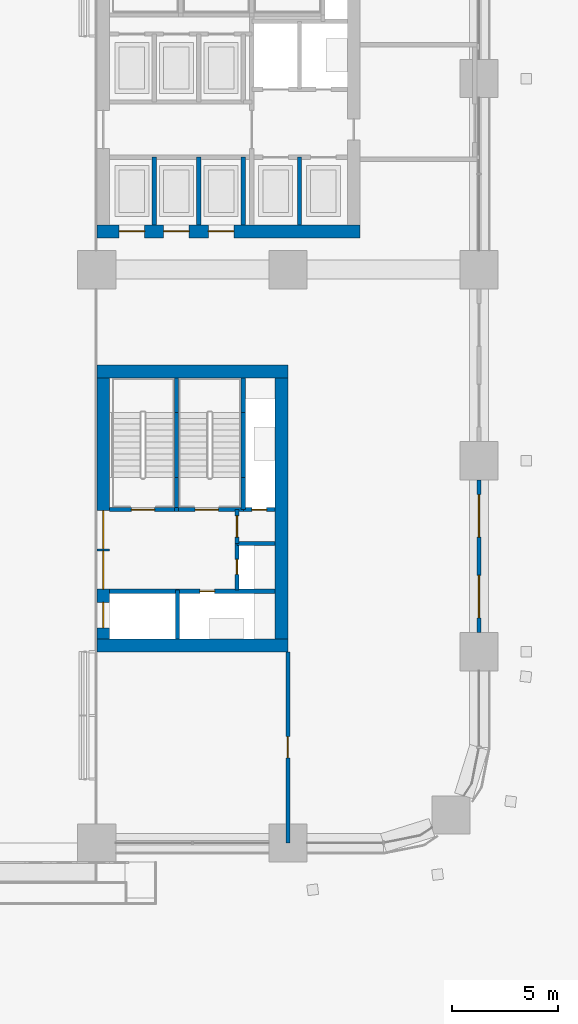
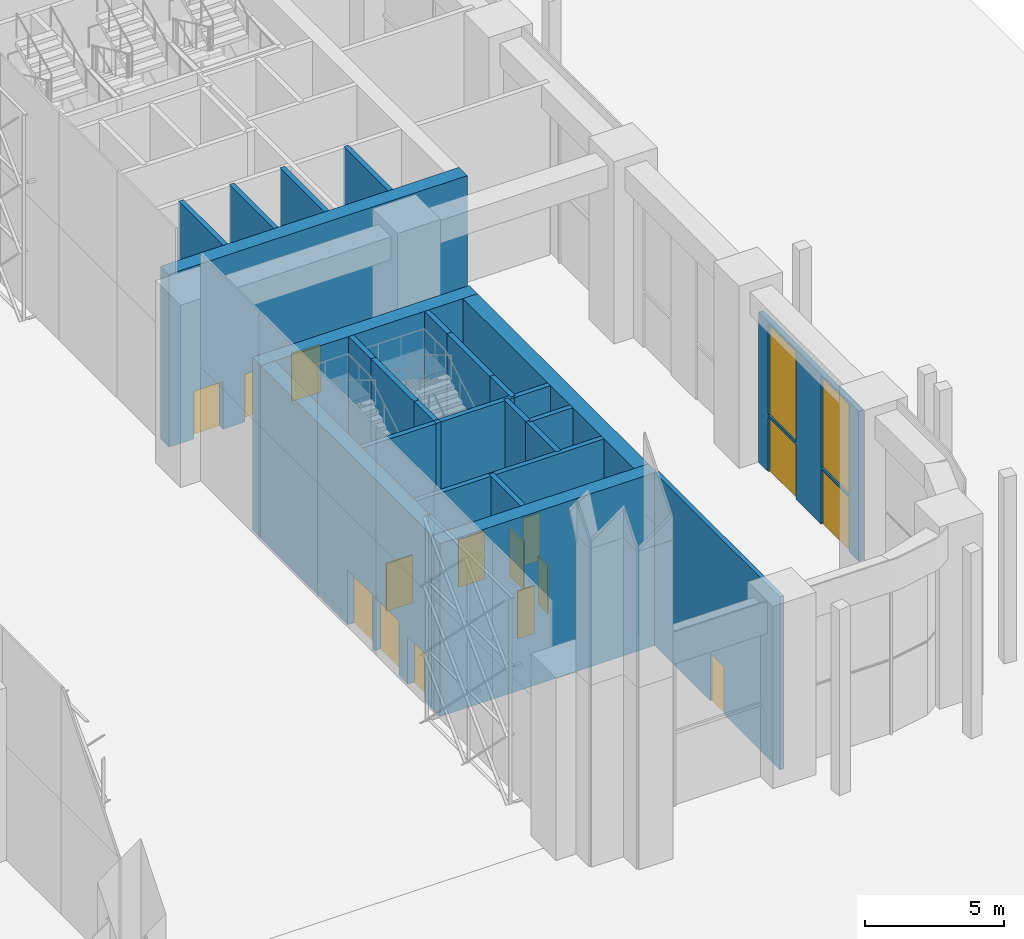
# One storey, part 32 of 64: 26 walls, 15 doors, 2 windows, 17 openings.
"""IFC4 building model written with IfcOpenShell, lengths in metres."""

from ifc_helpers import new_model, si_unit, direction, frame, frame_2d, origin, place, context, subcontext, project, spatial, rectangle, extrude, material, layer, layer_set, type_object, element, fill, save


model = new_model("IFC4")

# Units and contexts
model_context = context("Model", 3, precision=1e-05, world=origin(), true_north=direction((0.0, 1.0)))
body_context = subcontext(model_context, "Body", "Model", "MODEL_VIEW")
ifc_project = project(units=[si_unit("LENGTHUNIT", "METRE"), si_unit("AREAUNIT", "SQUARE_METRE"), si_unit("VOLUMEUNIT", "CUBIC_METRE"), si_unit("PLANEANGLEUNIT", "RADIAN"), si_unit("MASSUNIT", "GRAM", prefix="KILO")], contexts=[model_context])

# Site, building, storey
site_placement = place(None, origin())
site = spatial("IfcSite", under=ifc_project, at=site_placement, CompositionType="ELEMENT")
building_placement = place(site_placement, origin())
building = spatial("IfcBuilding", under=site, at=building_placement, Name="Tessera Arch", CompositionType="ELEMENT")
storey_placement = place(building_placement, origin())
storey = spatial("IfcBuildingStorey", under=building, at=storey_placement, Name="L00", CompositionType="ELEMENT", Elevation=0.0)

# Wall, opening, door
ifc_material_1 = material(Name="Gypsum board on steel stud", Category="steel")
ifc_layer_1 = layer(ifc_material_1, 0.125)
ifc_layer_set_1 = layer_set([ifc_layer_1], Name="Core partition 125 EI 60")
wall_type_1 = type_object("IfcWallType", Name="Core partition 125 EI 60", PredefinedType="PARTITIONING", material=ifc_layer_set_1)
wall_1_placement = place(storey_placement, frame((42.60009765625, 14.10009765625, 0.0), z_axis=(0.0, 0.0, 1.0), x_axis=(0.0, 1.0, 0.0)))
wall_1 = element("IfcWall", 1, at=wall_1_placement, inside=storey, type_object=wall_type_1, Name="L00 C3 partition wall 5", PredefinedType="PARTITIONING", context=body_context, shape_type="SweptSolid", body=[
    extrude(rectangle(XDim=1.599853515625, YDim=0.199951171875, at=frame_2d((0.7998046875, 0.0))), origin(), (0.0, 0.0, 1.0), 7.590087890625),
])
opening_1_placement = place(wall_1_placement, frame((0.300048828125, 0.0, 0.0)))
opening_1 = element("IfcOpeningElement", 2, at=opening_1_placement, cuts=wall_1, Name="Opening L00-C41", PredefinedType="OPENING", context=body_context, shape_type="SweptSolid", body=[
    extrude(rectangle(XDim=1.0, YDim=2.10009765625, at=frame_2d((0.5, 1.050048828125))), frame((0.0, 0.10986328125, 0.0), z_axis=(0.0, -1.0, 0.0), x_axis=(1.0, 0.0, 0.0)), (0.0, 0.0, 1.0), 0.219970703125),
])
ifc_material_2 = material(Name="Steel door leaf", Category="steel")
door_type_1 = type_object("IfcDoorType", Name="Corridor door FD60 1000 x 2100", OperationType="SINGLE_SWING_LEFT", PredefinedType="DOOR", material=ifc_material_2)
door_1_placement = place(opening_1_placement, origin())
door_1 = element("IfcDoor", 3, at=door_1_placement, inside=storey, type_object=door_type_1, Name="L00 C3 door 7 C41 type D12", OperationType="SINGLE_SWING_RIGHT", OverallHeight=2.10009765625, OverallWidth=1.0, PredefinedType="DOOR", context=body_context, shape_type="SweptSolid", body=[
    extrude(rectangle(XDim=1.0, YDim=2.10009765625, at=frame_2d((0.5, 1.050048828125))), frame((0.0, 0.02490234375, 0.0), z_axis=(0.0, -1.0, 0.0), x_axis=(1.0, 0.0, 0.0)), (0.0, 0.0, 1.0), 0.050048828125),
])
fill(opening_1, door_1)

# Wall, openings, doors
ifc_material_3 = material(Name="Concrete C70/85", Category="concrete")
ifc_layer_2 = layer(ifc_material_3, 0.60009765625)
ifc_layer_set_2 = layer_set([ifc_layer_2], Name="Core shell wall 600 C70-85")
wall_type_2 = type_object("IfcWallType", Name="Core shell wall 600 C70-85", PredefinedType="SHEAR", material=ifc_layer_set_2)
wall_2_placement = place(storey_placement, frame((36.0, 28.800048828125, 0.0), z_axis=(0.0, 0.0, 1.0), x_axis=(1.0, 0.0, 0.0)))
wall_2 = element("IfcWall", 4, at=wall_2_placement, inside=storey, type_object=wall_type_2, Name="L00 C1 core wall S", PredefinedType="SHEAR", context=body_context, shape_type="SweptSolid", body=[
    extrude(rectangle(XDim=12.39990234375, YDim=0.60009765625, at=frame_2d((6.199951171875, 0.0))), origin(), (0.0, 0.0, 1.0), 7.590087890625),
])
opening_2_placement = place(wall_2_placement, frame((1.050048828125, 0.0, 0.0)))
opening_2 = element("IfcOpeningElement", 5, at=opening_2_placement, cuts=wall_2, Name="Opening L00-C01", PredefinedType="OPENING", context=body_context, shape_type="SweptSolid", body=[
    extrude(rectangle(XDim=1.199951171875, YDim=2.10009765625, at=frame_2d((0.60009765625, 1.050048828125))), frame((0.0, 0.31005859375, 0.0), z_axis=(0.0, -1.0, 0.0), x_axis=(1.0, 0.0, 0.0)), (0.0, 0.0, 1.0), 0.6201171875),
])
opening_3_placement = place(wall_2_placement, frame((3.14990234375, 0.0, 0.0)))
opening_3 = element("IfcOpeningElement", 6, at=opening_3_placement, cuts=wall_2, Name="Opening L00-C03", PredefinedType="OPENING", context=body_context, shape_type="SweptSolid", body=[
    extrude(rectangle(XDim=1.199951171875, YDim=2.10009765625, at=frame_2d((0.60009765625, 1.050048828125))), frame((0.0, 0.31005859375, 0.0), z_axis=(0.0, -1.0, 0.0), x_axis=(1.0, 0.0, 0.0)), (0.0, 0.0, 1.0), 0.6201171875),
])
opening_4_placement = place(wall_2_placement, frame((5.25, 0.0, 0.0)))
opening_4 = element("IfcOpeningElement", 7, at=opening_4_placement, cuts=wall_2, Name="Opening L00-C05", PredefinedType="OPENING", context=body_context, shape_type="SweptSolid", body=[
    extrude(rectangle(XDim=1.199951171875, YDim=2.10009765625, at=frame_2d((0.60009765625, 1.050048828125))), frame((0.0, 0.31005859375, 0.0), z_axis=(0.0, -1.0, 0.0), x_axis=(1.0, 0.0, 0.0)), (0.0, 0.0, 1.0), 0.6201171875),
])
ifc_material_4 = material(Name="Stainless steel AISI 304", Category="steel")
door_type_2 = type_object("IfcDoorType", Name="Sliding landing door 1200 x 2100", OperationType="SLIDING_TO_LEFT", PredefinedType="DOOR", material=ifc_material_4)
door_2_placement = place(opening_2_placement, origin())
door_2 = element("IfcDoor", 8, at=door_2_placement, inside=storey, type_object=door_type_2, Name="L00 HR1 lift landing door C01 type LD", OperationType="SLIDING_TO_LEFT", OverallHeight=2.10009765625, OverallWidth=1.199951171875, PredefinedType="DOOR", context=body_context, shape_type="SweptSolid", body=[
    extrude(rectangle(XDim=1.199951171875, YDim=2.10009765625, at=frame_2d((0.60009765625, 1.050048828125))), frame((0.0, 0.02490234375, 0.0), z_axis=(0.0, -1.0, 0.0), x_axis=(1.0, 0.0, 0.0)), (0.0, 0.0, 1.0), 0.050048828125),
])
fill(opening_2, door_2)
door_3_placement = place(opening_3_placement, origin())
door_3 = element("IfcDoor", 9, at=door_3_placement, inside=storey, type_object=door_type_2, Name="L00 HR2 lift landing door C03 type LD", OperationType="SLIDING_TO_LEFT", OverallHeight=2.10009765625, OverallWidth=1.199951171875, PredefinedType="DOOR", context=body_context, shape_type="SweptSolid", body=[
    extrude(rectangle(XDim=1.199951171875, YDim=2.10009765625, at=frame_2d((0.60009765625, 1.050048828125))), frame((0.0, 0.02490234375, 0.0), z_axis=(0.0, -1.0, 0.0), x_axis=(1.0, 0.0, 0.0)), (0.0, 0.0, 1.0), 0.050048828125),
])
fill(opening_3, door_3)
door_4_placement = place(opening_4_placement, origin())
door_4 = element("IfcDoor", 10, at=door_4_placement, inside=storey, type_object=door_type_2, Name="L00 HR3 lift landing door C05 type LD", OperationType="SLIDING_TO_LEFT", OverallHeight=2.10009765625, OverallWidth=1.199951171875, PredefinedType="DOOR", context=body_context, shape_type="SweptSolid", body=[
    extrude(rectangle(XDim=1.199951171875, YDim=2.10009765625, at=frame_2d((0.60009765625, 1.050048828125))), frame((0.0, 0.02490234375, 0.0), z_axis=(0.0, -1.0, 0.0), x_axis=(1.0, 0.0, 0.0)), (0.0, 0.0, 1.0), 0.050048828125),
])
fill(opening_4, door_4)

# Walls
for number, where, z_axis, x_axis, name in (
    (11, (36.0, 9.300048828125, 0.0), (0.0, 0.0, 1.0), (1.0, 0.0, 0.0), "L00 C3 core wall S"),
    (12, (36.0, 22.199951171875, 0.0), (0.0, 0.0, 1.0), (1.0, 0.0, 0.0), "L00 C3 core wall N"),
):
    element("IfcWall", number, at=place(storey_placement, frame(where, z_axis=z_axis, x_axis=x_axis)), inside=storey, type_object=wall_type_2, Name=name, PredefinedType="SHEAR", context=body_context, shape_type="SweptSolid", body=[
        extrude(rectangle(XDim=9.0, YDim=0.60009765625, at=frame_2d((4.5, 0.0))), origin(), (0.0, 0.0, 1.0), 7.590087890625),
    ])

# Wall, openings, doors
wall_3_placement = place(storey_placement, frame((36.300048828125, 9.60009765625, 0.0), z_axis=(0.0, 0.0, 1.0), x_axis=(0.0, 1.0, 0.0)))
wall_3 = element("IfcWall", 13, at=wall_3_placement, inside=storey, type_object=wall_type_2, Name="L00 C3 core wall W", PredefinedType="SHEAR", context=body_context, shape_type="SweptSolid", body=[
    extrude(rectangle(XDim=12.2998046875, YDim=0.60009765625, at=frame_2d((6.14990234375, 0.0))), origin(), (0.0, 0.0, 1.0), 7.590087890625),
])
opening_5_placement = place(wall_3_placement, frame((0.52490234375, 0.0, 0.0)))
opening_5 = element("IfcOpeningElement", 14, at=opening_5_placement, cuts=wall_3, Name="Opening L00-C35", PredefinedType="OPENING", context=body_context, shape_type="SweptSolid", body=[
    extrude(rectangle(XDim=1.199951171875, YDim=2.10009765625, at=frame_2d((0.60009765625, 1.050048828125))), frame((0.0, 0.31005859375, 0.0), z_axis=(0.0, -1.0, 0.0), x_axis=(1.0, 0.0, 0.0)), (0.0, 0.0, 1.0), 0.6201171875),
])
opening_6_placement = place(wall_3_placement, frame((2.35009765625, 0.0, 0.0)))
opening_6 = element("IfcOpeningElement", 15, at=opening_6_placement, cuts=wall_3, Name="Opening L00-C71", PredefinedType="OPENING", context=body_context, shape_type="SweptSolid", body=[
    extrude(rectangle(XDim=1.800048828125, YDim=2.39990234375, at=frame_2d((0.89990234375, 1.199951171875))), frame((0.0, 0.31005859375, 0.0), z_axis=(0.0, -1.0, 0.0), x_axis=(1.0, 0.0, 0.0)), (0.0, 0.0, 1.0), 0.6201171875),
])
opening_7_placement = place(wall_3_placement, frame((4.25, 0.0, 0.0)))
opening_7 = element("IfcOpeningElement", 16, at=opening_7_placement, cuts=wall_3, Name="Opening L00-C72", PredefinedType="OPENING", context=body_context, shape_type="SweptSolid", body=[
    extrude(rectangle(XDim=1.800048828125, YDim=2.39990234375, at=frame_2d((0.89990234375, 1.199951171875))), frame((0.0, 0.31005859375, 0.0), z_axis=(0.0, -1.0, 0.0), x_axis=(1.0, 0.0, 0.0)), (0.0, 0.0, 1.0), 0.6201171875),
])
door_5_placement = place(opening_5_placement, origin())
door_5 = element("IfcDoor", 17, at=door_5_placement, inside=storey, type_object=door_type_2, Name="L00 SV1 lift landing door C35 type LD", OperationType="SLIDING_TO_LEFT", OverallHeight=2.10009765625, OverallWidth=1.199951171875, PredefinedType="DOOR", context=body_context, shape_type="SweptSolid", body=[
    extrude(rectangle(XDim=1.199951171875, YDim=2.10009765625, at=frame_2d((0.60009765625, 1.050048828125))), frame((0.0, 0.02490234375, 0.0), z_axis=(0.0, -1.0, 0.0), x_axis=(1.0, 0.0, 0.0)), (0.0, 0.0, 1.0), 0.050048828125),
])
fill(opening_5, door_5)
ifc_material_5 = material(Name="Steel door leaf", Category="steel")
door_type_3 = type_object("IfcDoorType", Name="Stair discharge door 1800 x 2400", OperationType="DOUBLE_DOOR_SINGLE_SWING", PredefinedType="DOOR", material=ifc_material_5)
door_6_placement = place(opening_6_placement, origin())
door_6 = element("IfcDoor", 18, at=door_6_placement, inside=storey, type_object=door_type_3, Name="Stair S3a exit C71 type D10", OperationType="DOUBLE_DOOR_SINGLE_SWING", OverallHeight=2.39990234375, OverallWidth=1.800048828125, PredefinedType="DOOR", context=body_context, shape_type="SweptSolid", body=[
    extrude(rectangle(XDim=1.800048828125, YDim=2.39990234375, at=frame_2d((0.89990234375, 1.199951171875))), frame((0.0, 0.02490234375, 0.0), z_axis=(0.0, -1.0, 0.0), x_axis=(1.0, 0.0, 0.0)), (0.0, 0.0, 1.0), 0.050048828125),
])
fill(opening_6, door_6)
door_7_placement = place(opening_7_placement, origin())
door_7 = element("IfcDoor", 19, at=door_7_placement, inside=storey, type_object=door_type_3, Name="Stair S3b exit C72 type D10", OperationType="DOUBLE_DOOR_SINGLE_SWING", OverallHeight=2.39990234375, OverallWidth=1.800048828125, PredefinedType="DOOR", context=body_context, shape_type="SweptSolid", body=[
    extrude(rectangle(XDim=1.800048828125, YDim=2.39990234375, at=frame_2d((0.89990234375, 1.199951171875))), frame((0.0, 0.02490234375, 0.0), z_axis=(0.0, -1.0, 0.0), x_axis=(1.0, 0.0, 0.0)), (0.0, 0.0, 1.0), 0.050048828125),
])
fill(opening_7, door_7)

# Wall
wall_4_placement = place(storey_placement, frame((44.699951171875, 9.60009765625, 0.0), z_axis=(0.0, 0.0, 1.0), x_axis=(0.0, 1.0, 0.0)))
element("IfcWall", 20, at=wall_4_placement, inside=storey, type_object=wall_type_2, Name="L00 C3 core wall E", PredefinedType="SHEAR", context=body_context, shape_type="SweptSolid", body=[
    extrude(rectangle(XDim=12.2998046875, YDim=0.60009765625, at=frame_2d((6.14990234375, 0.0))), origin(), (0.0, 0.0, 1.0), 7.590087890625),
])

# Wall, opening, door
ifc_material_6 = material(Name="Gypsum board on deep steel stud with mineral wool", Category="steel")
ifc_layer_3 = layer(ifc_material_6, 0.175048828125)
ifc_layer_set_3 = layer_set([ifc_layer_3], Name="Corridor wall 175 EI 60")
wall_type_3 = type_object("IfcWallType", Name="Corridor wall 175 EI 60", PredefinedType="PARTITIONING", material=ifc_layer_set_3)
wall_5_placement = place(storey_placement, frame((45.0, 0.0, 0.0), z_axis=(0.0, 0.0, 1.0), x_axis=(0.0, 1.0, 0.0)))
wall_5 = element("IfcWall", 21, at=wall_5_placement, inside=storey, type_object=wall_type_3, Name="L00 partition 23", PredefinedType="PARTITIONING", context=body_context, shape_type="SweptSolid", body=[
    extrude(rectangle(XDim=9.0, YDim=0.175048828125, at=frame_2d((4.5, 0.0))), origin(), (0.0, 0.0, 1.0), 7.590087890625),
])
opening_8_placement = place(wall_5_placement, frame((4.0, 0.0, 0.0)))
opening_8 = element("IfcOpeningElement", 22, at=opening_8_placement, cuts=wall_5, Name="Opening L00-D012", PredefinedType="OPENING", context=body_context, shape_type="SweptSolid", body=[
    extrude(rectangle(XDim=1.0, YDim=2.10009765625, at=frame_2d((0.5, 1.050048828125))), frame((0.0, 0.097412109375, 0.0), z_axis=(0.0, -1.0, 0.0), x_axis=(1.0, 0.0, 0.0)), (0.0, 0.0, 1.0), 0.195068359375),
])
ifc_material_7 = material(Name="Fire-rated door leaf")
door_type_4 = type_object("IfcDoorType", Name="Entrance door FD30S 1000 x 2100", OperationType="SINGLE_SWING_LEFT", PredefinedType="DOOR", material=ifc_material_7)
door_8_placement = place(opening_8_placement, origin())
door_8 = element("IfcDoor", 23, at=door_8_placement, inside=storey, type_object=door_type_4, Name="L00 door D012 type D03", OperationType="SINGLE_SWING_RIGHT", OverallHeight=2.10009765625, OverallWidth=1.0, PredefinedType="DOOR", context=body_context, shape_type="SweptSolid", body=[
    extrude(rectangle(XDim=1.0, YDim=2.10009765625, at=frame_2d((0.5, 1.050048828125))), frame((0.0, 0.02490234375, 0.0), z_axis=(0.0, -1.0, 0.0), x_axis=(1.0, 0.0, 0.0)), (0.0, 0.0, 1.0), 0.050048828125),
])
fill(opening_8, door_8)

# Wall, openings, doors, windows
ifc_material_8 = material(Name="Aluminium cladding pale metal anodised", Category="aluminium")
ifc_layer_4 = layer(ifc_material_8, 0.199951171875)
ifc_layer_set_4 = layer_set([ifc_layer_4], Name="Envelope wall pale metal")
wall_type_4 = type_object("IfcWallType", Name="Envelope wall pale metal", PredefinedType="SOLIDWALL", material=ifc_layer_set_4)
wall_6_placement = place(storey_placement, frame((54.0, 9.89990234375, 0.0), z_axis=(0.0, 0.0, 1.0), x_axis=(0.0, 1.0, 0.0)))
wall_6 = element("IfcWall", 24, at=wall_6_placement, inside=storey, type_object=wall_type_4, Name="Door bay wall E54.0/0 L00", PredefinedType="SOLIDWALL", context=body_context, shape_type="SweptSolid", body=[
    extrude(rectangle(XDim=7.2001953125, YDim=0.199951171875, at=frame_2d((3.60009765625, 0.0))), origin(), (0.0, 0.0, 1.0), 6.590087890625),
])
opening_9_placement = place(wall_6_placement, frame((0.699951171875, 0.0, 0.0)))
opening_9 = element("IfcOpeningElement", 25, at=opening_9_placement, cuts=wall_6, Name="Opening L00-X01", PredefinedType="OPENING", context=body_context, shape_type="SweptSolid", body=[
    extrude(rectangle(XDim=2.0, YDim=2.39990234375, at=frame_2d((1.0, 1.199951171875))), frame((0.0, 0.10986328125, 0.0), z_axis=(0.0, -1.0, 0.0), x_axis=(1.0, 0.0, 0.0)), (0.0, 0.0, 1.0), 0.219970703125),
])
opening_10_placement = place(wall_6_placement, frame((0.699951171875, 0.0, 2.5)))
opening_10 = element("IfcOpeningElement", 26, at=opening_10_placement, cuts=wall_6, Name="Opening L00-FL01", PredefinedType="OPENING", context=body_context, shape_type="SweptSolid", body=[
    extrude(rectangle(XDim=2.0, YDim=3.989990234375, at=frame_2d((1.0, 1.9951171875))), frame((0.0, 0.10986328125, 0.0), z_axis=(0.0, -1.0, 0.0), x_axis=(1.0, 0.0, 0.0)), (0.0, 0.0, 1.0), 0.219970703125),
])
opening_11_placement = place(wall_6_placement, frame((4.5, 0.0, 0.0)))
opening_11 = element("IfcOpeningElement", 27, at=opening_11_placement, cuts=wall_6, Name="Opening L00-X02", PredefinedType="OPENING", context=body_context, shape_type="SweptSolid", body=[
    extrude(rectangle(XDim=2.0, YDim=2.39990234375, at=frame_2d((1.0, 1.199951171875))), frame((0.0, 0.10986328125, 0.0), z_axis=(0.0, -1.0, 0.0), x_axis=(1.0, 0.0, 0.0)), (0.0, 0.0, 1.0), 0.219970703125),
])
opening_12_placement = place(wall_6_placement, frame((4.5, 0.0, 2.5)))
opening_12 = element("IfcOpeningElement", 28, at=opening_12_placement, cuts=wall_6, Name="Opening L00-FL02", PredefinedType="OPENING", context=body_context, shape_type="SweptSolid", body=[
    extrude(rectangle(XDim=2.0, YDim=3.989990234375, at=frame_2d((1.0, 1.9951171875))), frame((0.0, 0.10986328125, 0.0), z_axis=(0.0, -1.0, 0.0), x_axis=(1.0, 0.0, 0.0)), (0.0, 0.0, 1.0), 0.219970703125),
])
ifc_material_9 = material(Name="Aluminium frame and clear glass", Category="aluminium")
door_type_5 = type_object("IfcDoorType", Name="Entrance door glazed double leaf", OperationType="DOUBLE_DOOR_SINGLE_SWING", PredefinedType="DOOR", material=ifc_material_9)
door_9_placement = place(opening_9_placement, origin())
door_9 = element("IfcDoor", 29, at=door_9_placement, inside=storey, type_object=door_type_5, Name="Door L00-X-E54.0/0-1 X01", OperationType="DOUBLE_DOOR_SINGLE_SWING", OverallHeight=2.39990234375, OverallWidth=2.0, PredefinedType="DOOR", context=body_context, shape_type="SweptSolid", body=[
    extrude(rectangle(XDim=2.0, YDim=2.39990234375, at=frame_2d((1.0, 1.199951171875))), frame((0.0, 0.02490234375, 0.0), z_axis=(0.0, -1.0, 0.0), x_axis=(1.0, 0.0, 0.0)), (0.0, 0.0, 1.0), 0.050048828125),
])
fill(opening_9, door_9)
door_10_placement = place(opening_11_placement, origin())
door_10 = element("IfcDoor", 30, at=door_10_placement, inside=storey, type_object=door_type_5, Name="Door L00-X-E54.0/0-2 X02", OperationType="DOUBLE_DOOR_SINGLE_SWING", OverallHeight=2.39990234375, OverallWidth=2.0, PredefinedType="DOOR", context=body_context, shape_type="SweptSolid", body=[
    extrude(rectangle(XDim=2.0, YDim=2.39990234375, at=frame_2d((1.0, 1.199951171875))), frame((0.0, 0.02490234375, 0.0), z_axis=(0.0, -1.0, 0.0), x_axis=(1.0, 0.0, 0.0)), (0.0, 0.0, 1.0), 0.050048828125),
])
fill(opening_11, door_10)
ifc_material_10 = material(Name="Clear low-e glass in aluminium frame", Category="aluminium")
window_type = type_object("IfcWindowType", Name="Fanlight fixed clear glass", PartitioningType="SINGLE_PANEL", PredefinedType="WINDOW", material=ifc_material_10)
window_1_placement = place(opening_10_placement, origin())
window_1 = element("IfcWindow", 31, at=window_1_placement, inside=storey, type_object=window_type, Name="Fanlight L00-X-E54.0/0-1", OverallHeight=3.989990234375, OverallWidth=2.0, PartitioningType="SINGLE_PANEL", PredefinedType="WINDOW", context=body_context, shape_type="SweptSolid", body=[
    extrude(rectangle(XDim=2.0, YDim=3.989990234375, at=frame_2d((1.0, 1.9951171875))), frame((0.0, 0.030029296875, 0.0), z_axis=(0.0, -1.0, 0.0), x_axis=(1.0, 0.0, 0.0)), (0.0, 0.0, 1.0), 0.06005859375),
])
fill(opening_10, window_1)
window_2_placement = place(opening_12_placement, origin())
window_2 = element("IfcWindow", 32, at=window_2_placement, inside=storey, type_object=window_type, Name="Fanlight L00-X-E54.0/0-2", OverallHeight=3.989990234375, OverallWidth=2.0, PartitioningType="SINGLE_PANEL", PredefinedType="WINDOW", context=body_context, shape_type="SweptSolid", body=[
    extrude(rectangle(XDim=2.0, YDim=3.989990234375, at=frame_2d((1.0, 1.9951171875))), frame((0.0, 0.030029296875, 0.0), z_axis=(0.0, -1.0, 0.0), x_axis=(1.0, 0.0, 0.0)), (0.0, 0.0, 1.0), 0.06005859375),
])
fill(opening_12, window_2)

# Walls
ifc_material_11 = material(Name="Concrete C40/50", Category="concrete")
ifc_layer_5 = layer(ifc_material_11, 0.199951171875)
ifc_layer_set_5 = layer_set([ifc_layer_5], Name="Shaft wall 200 EI 120")
wall_type_5 = type_object("IfcWallType", Name="Shaft wall 200 EI 120", PredefinedType="SOLIDWALL", material=ifc_layer_set_5)
for number, where, z_axis, x_axis, name in (
    (33, (38.699951171875, 29.10009765625, 0.0), (0.0, 0.0, 1.0), (0.0, 1.0, 0.0), "L00 C1 shaft wall 1"),
    (34, (40.800048828125, 29.10009765625, 0.0), (0.0, 0.0, 1.0), (0.0, 1.0, 0.0), "L00 C1 shaft wall 6"),
    (35, (42.89990234375, 29.10009765625, 0.0), (0.0, 0.0, 1.0), (0.0, 1.0, 0.0), "L00 C1 shaft wall 8"),
    (36, (45.550048828125, 29.10009765625, 0.0), (0.0, 0.0, 1.0), (0.0, 1.0, 0.0), "L00 C1 shaft wall 14"),
):
    element("IfcWall", number, at=place(storey_placement, frame(where, z_axis=z_axis, x_axis=x_axis)), inside=storey, type_object=wall_type_5, Name=name, PredefinedType="SOLIDWALL", context=body_context, shape_type="SweptSolid", body=[
        extrude(rectangle(XDim=3.199951171875, YDim=0.199951171875, at=frame_2d((1.60009765625, 0.0))), origin(), (0.0, 0.0, 1.0), 7.590087890625),
    ])
wall_7_placement = place(storey_placement, frame((39.800048828125, 9.60009765625, 0.0), z_axis=(0.0, 0.0, 1.0), x_axis=(0.0, 1.0, 0.0)))
element("IfcWall", 37, at=wall_7_placement, inside=storey, type_object=wall_type_5, Name="L00 C3 shaft wall 4", PredefinedType="SOLIDWALL", context=body_context, shape_type="SweptSolid", body=[
    extrude(rectangle(XDim=2.2998046875, YDim=0.199951171875, at=frame_2d((1.14990234375, 0.0))), origin(), (0.0, 0.0, 1.0), 7.590087890625),
])

# Wall, opening, door
wall_8_placement = place(storey_placement, frame((42.60009765625, 11.89990234375, 0.0), z_axis=(0.0, 0.0, 1.0), x_axis=(0.0, 1.0, 0.0)))
wall_8 = element("IfcWall", 38, at=wall_8_placement, inside=storey, type_object=wall_type_5, Name="L00 C3 shaft wall 6", PredefinedType="SOLIDWALL", context=body_context, shape_type="SweptSolid", body=[
    extrude(rectangle(XDim=2.2001953125, YDim=0.199951171875, at=frame_2d((1.10009765625, 0.0))), origin(), (0.0, 0.0, 1.0), 7.590087890625),
])
opening_13_placement = place(wall_8_placement, frame((0.75, 0.0, 0.0)))
opening_13 = element("IfcOpeningElement", 39, at=opening_13_placement, cuts=wall_8, Name="Opening L00-C39", PredefinedType="OPENING", context=body_context, shape_type="SweptSolid", body=[
    extrude(rectangle(XDim=0.699951171875, YDim=2.10009765625, at=frame_2d((0.35009765625, 1.050048828125))), frame((0.0, 0.10986328125, 0.0), z_axis=(0.0, -1.0, 0.0), x_axis=(1.0, 0.0, 0.0)), (0.0, 0.0, 1.0), 0.219970703125),
])
ifc_material_12 = material(Name="Steel door leaf", Category="steel")
door_type_6 = type_object("IfcDoorType", Name="Service shaft door FD60 700 x 2100", OperationType="SINGLE_SWING_LEFT", PredefinedType="DOOR", material=ifc_material_12)
door_11_placement = place(opening_13_placement, origin())
door_11 = element("IfcDoor", 40, at=door_11_placement, inside=storey, type_object=door_type_6, Name="L00 C3 door 5 C39 type D07", OperationType="SINGLE_SWING_RIGHT", OverallHeight=2.10009765625, OverallWidth=0.699951171875, PredefinedType="DOOR", context=body_context, shape_type="SweptSolid", body=[
    extrude(rectangle(XDim=0.699951171875, YDim=2.10009765625, at=frame_2d((0.35009765625, 1.050048828125))), frame((0.0, 0.02490234375, 0.0), z_axis=(0.0, -1.0, 0.0), x_axis=(1.0, 0.0, 0.0)), (0.0, 0.0, 1.0), 0.050048828125),
])
fill(opening_13, door_11)

wall_9_placement = place(storey_placement, frame((36.60009765625, 11.85009765625, 0.0), z_axis=(0.0, 0.0, 1.0), x_axis=(1.0, 0.0, 0.0)))
wall_9 = element("IfcWall", 41, at=wall_9_placement, inside=storey, type_object=wall_type_5, Name="L00 C3 shaft wall 10", PredefinedType="SOLIDWALL", context=body_context, shape_type="SweptSolid", body=[
    extrude(rectangle(XDim=7.7998046875, YDim=0.199951171875, at=frame_2d((3.89990234375, 0.0))), origin(), (0.0, 0.0, 1.0), 7.590087890625),
])
opening_14_placement = place(wall_9_placement, frame((4.25, 0.0, 0.0)))
opening_14 = element("IfcOpeningElement", 42, at=opening_14_placement, cuts=wall_9, Name="Opening L00-C40", PredefinedType="OPENING", context=body_context, shape_type="SweptSolid", body=[
    extrude(rectangle(XDim=0.699951171875, YDim=2.10009765625, at=frame_2d((0.35009765625, 1.050048828125))), frame((0.0, 0.10986328125, 0.0), z_axis=(0.0, -1.0, 0.0), x_axis=(1.0, 0.0, 0.0)), (0.0, 0.0, 1.0), 0.219970703125),
])
door_12_placement = place(opening_14_placement, origin())
door_12 = element("IfcDoor", 43, at=door_12_placement, inside=storey, type_object=door_type_6, Name="L00 C3 door 6 C40 type D07", OperationType="SINGLE_SWING_RIGHT", OverallHeight=2.10009765625, OverallWidth=0.699951171875, PredefinedType="DOOR", context=body_context, shape_type="SweptSolid", body=[
    extrude(rectangle(XDim=0.699951171875, YDim=2.10009765625, at=frame_2d((0.35009765625, 1.050048828125))), frame((0.0, 0.02490234375, 0.0), z_axis=(0.0, -1.0, 0.0), x_axis=(1.0, 0.0, 0.0)), (0.0, 0.0, 1.0), 0.050048828125),
])
fill(opening_14, door_12)

# Wall
wall_10_placement = place(storey_placement, frame((42.60009765625, 14.10009765625, 0.0), z_axis=(0.0, 0.0, 1.0), x_axis=(1.0, 0.0, 0.0)))
element("IfcWall", 44, at=wall_10_placement, inside=storey, type_object=wall_type_5, Name="L00 C3 shaft wall 11", PredefinedType="SOLIDWALL", context=body_context, shape_type="SweptSolid", body=[
    extrude(rectangle(XDim=1.7998046875, YDim=0.199951171875, at=frame_2d((0.89990234375, 0.0))), origin(), (0.0, 0.0, 1.0), 7.590087890625),
])

# Wall, opening, door
wall_11_placement = place(storey_placement, frame((42.89990234375, 15.699951171875, 0.0), z_axis=(0.0, 0.0, 1.0), x_axis=(1.0, 0.0, 0.0)))
wall_11 = element("IfcWall", 45, at=wall_11_placement, inside=storey, type_object=wall_type_5, Name="L00 C3 shaft wall 12", PredefinedType="SOLIDWALL", context=body_context, shape_type="SweptSolid", body=[
    extrude(rectangle(XDim=1.5, YDim=0.199951171875, at=frame_2d((0.75, 0.0))), origin(), (0.0, 0.0, 1.0), 7.590087890625),
])
opening_15_placement = place(wall_11_placement, frame((0.39990234375, 0.0, 0.0)))
opening_15 = element("IfcOpeningElement", 46, at=opening_15_placement, cuts=wall_11, Name="Opening L00-C38", PredefinedType="OPENING", context=body_context, shape_type="SweptSolid", body=[
    extrude(rectangle(XDim=0.699951171875, YDim=2.10009765625, at=frame_2d((0.35009765625, 1.050048828125))), frame((0.0, 0.10986328125, 0.0), z_axis=(0.0, -1.0, 0.0), x_axis=(1.0, 0.0, 0.0)), (0.0, 0.0, 1.0), 0.219970703125),
])
door_13_placement = place(opening_15_placement, origin())
door_13 = element("IfcDoor", 47, at=door_13_placement, inside=storey, type_object=door_type_6, Name="L00 C3 door 4 C38 type D07", OperationType="SINGLE_SWING_LEFT", OverallHeight=2.10009765625, OverallWidth=0.699951171875, PredefinedType="DOOR", context=body_context, shape_type="SweptSolid", body=[
    extrude(rectangle(XDim=0.699951171875, YDim=2.10009765625, at=frame_2d((0.35009765625, 1.050048828125))), frame((0.0, 0.02490234375, 0.0), z_axis=(0.0, -1.0, 0.0), x_axis=(1.0, 0.0, 0.0)), (0.0, 0.0, 1.0), 0.050048828125),
])
fill(opening_15, door_13)

# Walls
ifc_material_13 = material(Name="Concrete C40/50", Category="concrete")
ifc_layer_6 = layer(ifc_material_13, 0.199951171875)
ifc_layer_set_6 = layer_set([ifc_layer_6], Name="Stair well wall 200 REI 180")
wall_type_6 = type_object("IfcWallType", Name="Stair well wall 200 REI 180", PredefinedType="SOLIDWALL", material=ifc_layer_set_6)
wall_12_placement = place(storey_placement, frame((39.75, 15.699951171875, 0.0), z_axis=(0.0, 0.0, 1.0), x_axis=(0.0, 1.0, 0.0)))
element("IfcWall", 48, at=wall_12_placement, inside=storey, type_object=wall_type_6, Name="L00 C3 shaft wall 1", PredefinedType="SOLIDWALL", context=body_context, shape_type="SweptSolid", body=[
    extrude(rectangle(XDim=1.5, YDim=0.199951171875, at=frame_2d((0.75, 0.0))), origin(), (0.0, 0.0, 1.0), 7.590087890625),
])
wall_13_placement = place(storey_placement, frame((39.75, 17.199951171875, 0.0), z_axis=(0.0, 0.0, 1.0), x_axis=(0.0, 1.0, 0.0)))
element("IfcWall", 49, at=wall_13_placement, inside=storey, type_object=wall_type_6, Name="L00 C3 shaft wall 2", PredefinedType="SOLIDWALL", context=body_context, shape_type="SweptSolid", body=[
    extrude(rectangle(XDim=3.080078125, YDim=0.199951171875, at=frame_2d((1.5400390625, 0.0))), origin(), (0.0, 0.0, 1.0), 7.590087890625),
])
wall_14_placement = place(storey_placement, frame((39.75, 20.280029296875, 0.0), z_axis=(0.0, 0.0, 1.0), x_axis=(0.0, 1.0, 0.0)))
element("IfcWall", 50, at=wall_14_placement, inside=storey, type_object=wall_type_6, Name="L00 C3 shaft wall 3", PredefinedType="SOLIDWALL", context=body_context, shape_type="SweptSolid", body=[
    extrude(rectangle(XDim=1.619873046875, YDim=0.199951171875, at=frame_2d((0.81005859375, 0.0))), origin(), (0.0, 0.0, 1.0), 7.590087890625),
])
wall_15_placement = place(storey_placement, frame((42.89990234375, 15.699951171875, 0.0), z_axis=(0.0, 0.0, 1.0), x_axis=(0.0, 1.0, 0.0)))
element("IfcWall", 51, at=wall_15_placement, inside=storey, type_object=wall_type_6, Name="L00 C3 shaft wall 7", PredefinedType="SOLIDWALL", context=body_context, shape_type="SweptSolid", body=[
    extrude(rectangle(XDim=1.5, YDim=0.199951171875, at=frame_2d((0.75, 0.0))), origin(), (0.0, 0.0, 1.0), 7.590087890625),
])
wall_16_placement = place(storey_placement, frame((42.89990234375, 17.199951171875, 0.0), z_axis=(0.0, 0.0, 1.0), x_axis=(0.0, 1.0, 0.0)))
element("IfcWall", 52, at=wall_16_placement, inside=storey, type_object=wall_type_6, Name="L00 C3 shaft wall 8", PredefinedType="SOLIDWALL", context=body_context, shape_type="SweptSolid", body=[
    extrude(rectangle(XDim=3.080078125, YDim=0.199951171875, at=frame_2d((1.5400390625, 0.0))), origin(), (0.0, 0.0, 1.0), 7.590087890625),
])
wall_17_placement = place(storey_placement, frame((42.89990234375, 20.280029296875, 0.0), z_axis=(0.0, 0.0, 1.0), x_axis=(0.0, 1.0, 0.0)))
element("IfcWall", 53, at=wall_17_placement, inside=storey, type_object=wall_type_6, Name="L00 C3 shaft wall 9", PredefinedType="SOLIDWALL", context=body_context, shape_type="SweptSolid", body=[
    extrude(rectangle(XDim=1.619873046875, YDim=0.199951171875, at=frame_2d((0.81005859375, 0.0))), origin(), (0.0, 0.0, 1.0), 7.590087890625),
])

# Wall, opening, door
wall_18_placement = place(storey_placement, frame((36.60009765625, 15.699951171875, 0.0), z_axis=(0.0, 0.0, 1.0), x_axis=(1.0, 0.0, 0.0)))
wall_18 = element("IfcWall", 54, at=wall_18_placement, inside=storey, type_object=wall_type_6, Name="L00 C3 shaft wall 13", PredefinedType="SOLIDWALL", context=body_context, shape_type="SweptSolid", body=[
    extrude(rectangle(XDim=3.0498046875, YDim=0.199951171875, at=frame_2d((1.52490234375, 0.0))), origin(), (0.0, 0.0, 1.0), 7.590087890625),
])
opening_16_placement = place(wall_18_placement, frame((1.02490234375, 0.0, 0.0)))
opening_16 = element("IfcOpeningElement", 55, at=opening_16_placement, cuts=wall_18, Name="Opening L00-C36", PredefinedType="OPENING", context=body_context, shape_type="SweptSolid", body=[
    extrude(rectangle(XDim=1.10009765625, YDim=2.10009765625, at=frame_2d((0.550048828125, 1.050048828125))), frame((0.0, 0.10986328125, 0.0), z_axis=(0.0, -1.0, 0.0), x_axis=(1.0, 0.0, 0.0)), (0.0, 0.0, 1.0), 0.219970703125),
])
ifc_material_14 = material(Name="Steel door leaf", Category="steel")
door_type_7 = type_object("IfcDoorType", Name="Stair door FD60 1100 x 2100", OperationType="SINGLE_SWING_LEFT", PredefinedType="DOOR", material=ifc_material_14)
door_14_placement = place(opening_16_placement, origin())
door_14 = element("IfcDoor", 56, at=door_14_placement, inside=storey, type_object=door_type_7, Name="L00 C3 door 2 C36 type D05", OperationType="SINGLE_SWING_RIGHT", OverallHeight=2.10009765625, OverallWidth=1.10009765625, PredefinedType="DOOR", context=body_context, shape_type="SweptSolid", body=[
    extrude(rectangle(XDim=1.10009765625, YDim=2.10009765625, at=frame_2d((0.550048828125, 1.050048828125))), frame((0.0, 0.02490234375, 0.0), z_axis=(0.0, -1.0, 0.0), x_axis=(1.0, 0.0, 0.0)), (0.0, 0.0, 1.0), 0.050048828125),
])
fill(opening_16, door_14)

# Wall
wall_19_placement = place(storey_placement, frame((39.64990234375, 15.699951171875, 0.0), z_axis=(0.0, 0.0, 1.0), x_axis=(1.0, 0.0, 0.0)))
element("IfcWall", 57, at=wall_19_placement, inside=storey, type_object=wall_type_6, Name="L00 C3 shaft wall 14", PredefinedType="SOLIDWALL", context=body_context, shape_type="SweptSolid", body=[
    extrude(rectangle(XDim=0.2001953125, YDim=0.199951171875, at=frame_2d((0.10009765625, 0.0))), origin(), (0.0, 0.0, 1.0), 7.590087890625),
])

# Wall, opening, door
wall_20_placement = place(storey_placement, frame((39.85009765625, 15.699951171875, 0.0), z_axis=(0.0, 0.0, 1.0), x_axis=(1.0, 0.0, 0.0)))
wall_20 = element("IfcWall", 58, at=wall_20_placement, inside=storey, type_object=wall_type_6, Name="L00 C3 shaft wall 15", PredefinedType="SOLIDWALL", context=body_context, shape_type="SweptSolid", body=[
    extrude(rectangle(XDim=3.0498046875, YDim=0.199951171875, at=frame_2d((1.52490234375, 0.0))), origin(), (0.0, 0.0, 1.0), 7.590087890625),
])
opening_17_placement = place(wall_20_placement, frame((0.77490234375, 0.0, 0.0)))
opening_17 = element("IfcOpeningElement", 59, at=opening_17_placement, cuts=wall_20, Name="Opening L00-C37", PredefinedType="OPENING", context=body_context, shape_type="SweptSolid", body=[
    extrude(rectangle(XDim=1.10009765625, YDim=2.10009765625, at=frame_2d((0.550048828125, 1.050048828125))), frame((0.0, 0.10986328125, 0.0), z_axis=(0.0, -1.0, 0.0), x_axis=(1.0, 0.0, 0.0)), (0.0, 0.0, 1.0), 0.219970703125),
])
door_15_placement = place(opening_17_placement, origin())
door_15 = element("IfcDoor", 60, at=door_15_placement, inside=storey, type_object=door_type_7, Name="L00 C3 door 3 C37 type D05", OperationType="SINGLE_SWING_LEFT", OverallHeight=2.10009765625, OverallWidth=1.10009765625, PredefinedType="DOOR", context=body_context, shape_type="SweptSolid", body=[
    extrude(rectangle(XDim=1.10009765625, YDim=2.10009765625, at=frame_2d((0.550048828125, 1.050048828125))), frame((0.0, 0.02490234375, 0.0), z_axis=(0.0, -1.0, 0.0), x_axis=(1.0, 0.0, 0.0)), (0.0, 0.0, 1.0), 0.050048828125),
])
fill(opening_17, door_15)

save(model, "model.ifc")
